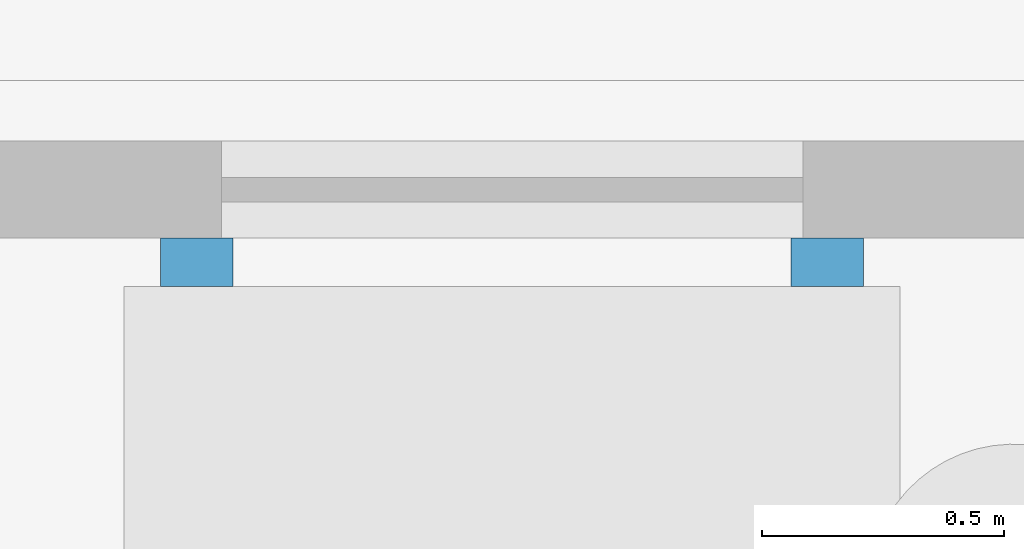
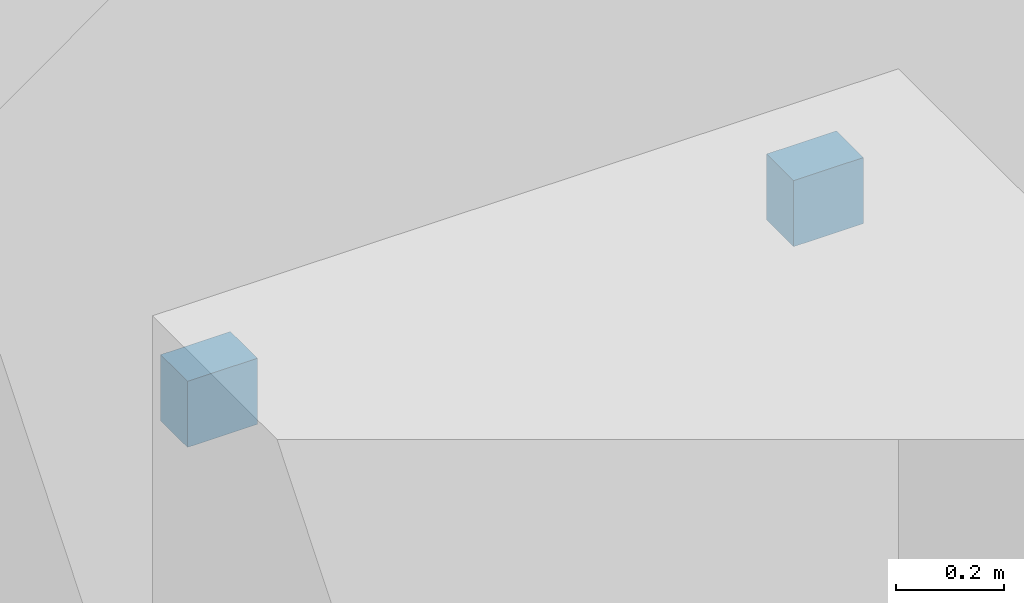
# One storey, part 50 of 84: 2 discrete accessories.
"""IFC4 building model written with IfcOpenShell, lengths in metres."""

from ifc_helpers import new_model, si_unit, direction, frame, origin, origin_2d, place, context, subcontext, project, spatial, rectangle, extrude, material, type_object, element, save


model = new_model("IFC4")

# Units and contexts
model_context = context("Model", 3, precision=1e-05, world=origin(), true_north=direction((0.0, 1.0)))
body_context = subcontext(model_context, "Body", "Model", "MODEL_VIEW")
ifc_project = project(units=[si_unit("LENGTHUNIT", "METRE"), si_unit("AREAUNIT", "SQUARE_METRE"), si_unit("VOLUMEUNIT", "CUBIC_METRE"), si_unit("PLANEANGLEUNIT", "RADIAN"), si_unit("MASSUNIT", "GRAM", prefix="KILO")], contexts=[model_context])

# Site, building, storey
site_placement = place(None, origin())
site = spatial("IfcSite", under=ifc_project, at=site_placement, CompositionType="ELEMENT")
building_placement = place(site_placement, origin())
building = spatial("IfcBuilding", under=site, at=building_placement, Name="Mazhai Court Health Centre", CompositionType="ELEMENT")
storey_placement = place(building_placement, origin())
storey = spatial("IfcBuildingStorey", under=building, at=storey_placement, Name="L00", CompositionType="ELEMENT", Elevation=0.0)

# Discrete accessories
ifc_material = material(Name="Steel IS 2062 E250", Category="steel")
discrete_accessory_type = type_object("IfcDiscreteAccessoryType", Name="LIFT RAIL BRACKET 150", PredefinedType="BRACKET", material=ifc_material)
for number, where, z_axis, x_axis, name in (
    (1, (136.514892578125, 30.875, 2.22509765625), (0.0, 0.0, 1.0), (1.0, 0.0, 0.0), "core-C9-lift1-bracket0"),
    (2, (137.81494140625, 30.875, 2.22509765625), (0.0, 0.0, 1.0), (1.0, 0.0, 0.0), "core-C9-lift1-bracket1"),
):
    element("IfcDiscreteAccessory", number, at=place(storey_placement, frame(where, z_axis=z_axis, x_axis=x_axis)), inside=storey, type_object=discrete_accessory_type, Name=name, PredefinedType="BRACKET", context=body_context, shape_type="SweptSolid", body=[
        extrude(rectangle(XDim=0.14990234375, YDim=0.10009765625, at=origin_2d()), origin(), (0.0, 0.0, 1.0), 0.14990234375),
    ])

save(model, "model.ifc")
